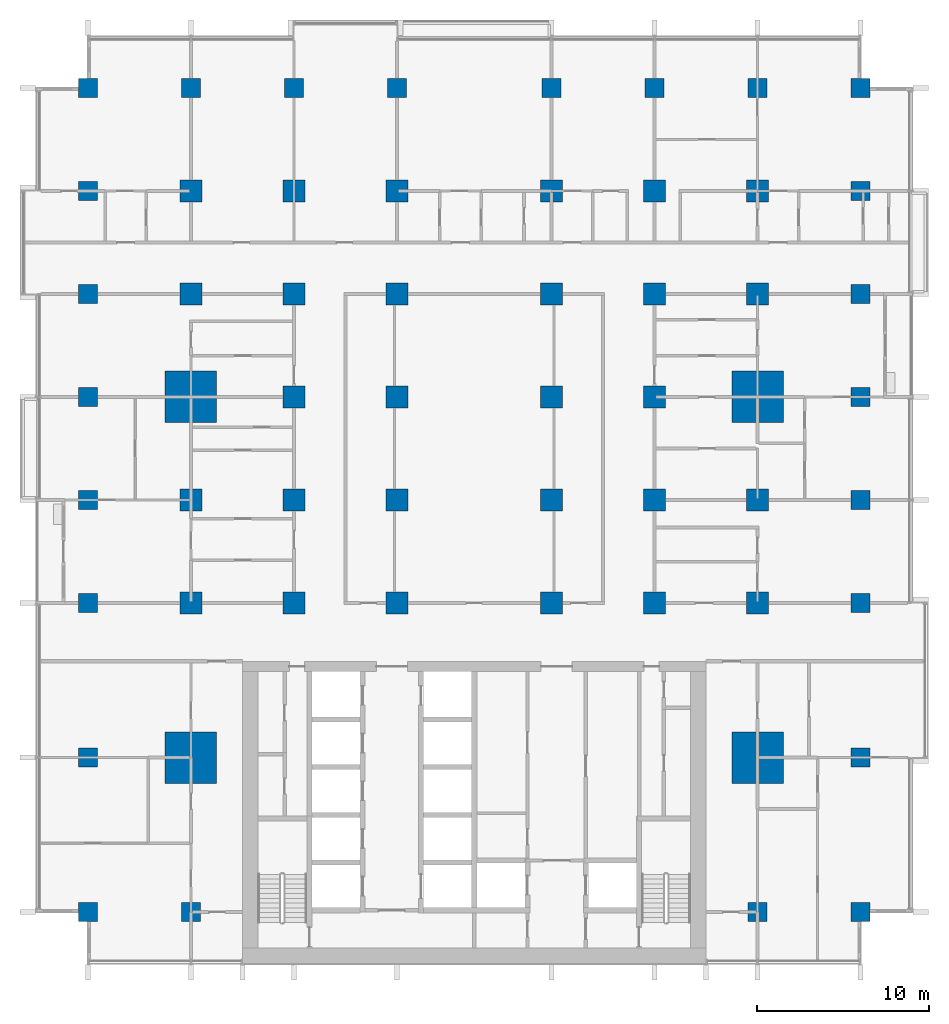
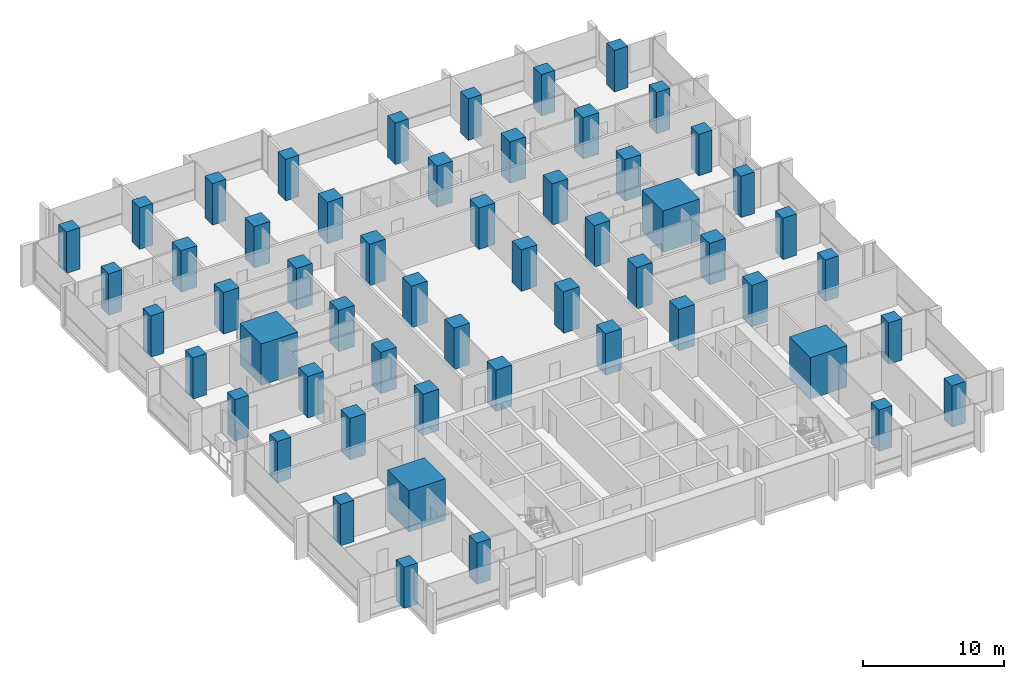
# One storey, part 1 of 18: 56 columns.
"""IFC4 building model written with IfcOpenShell, lengths in metres."""

from ifc_helpers import new_model, si_unit, direction, frame, origin, origin_2d, place, context, subcontext, project, spatial, rectangle, extrude, material, material_profile, profile_set, type_object, element, save


model = new_model("IFC4")

# Units and contexts
model_context = context("Model", 3, precision=1e-05, world=origin(), true_north=direction((0.0, 1.0)))
body_context = subcontext(model_context, "Body", "Model", "MODEL_VIEW")
ifc_project = project(units=[si_unit("LENGTHUNIT", "METRE"), si_unit("AREAUNIT", "SQUARE_METRE"), si_unit("VOLUMEUNIT", "CUBIC_METRE"), si_unit("PLANEANGLEUNIT", "RADIAN"), si_unit("MASSUNIT", "GRAM", prefix="KILO")], contexts=[model_context])

# Site, building, storey
site_placement = place(None, origin())
site = spatial("IfcSite", under=ifc_project, at=site_placement, CompositionType="ELEMENT")
building_placement = place(site_placement, origin())
building = spatial("IfcBuilding", under=site, at=building_placement, Name="Finial Court Residences", CompositionType="ELEMENT")
storey_placement = place(building_placement, frame((0.0, 0.0, 36.10009765625)))
storey = spatial("IfcBuildingStorey", under=building, at=storey_placement, Name="L07", CompositionType="ELEMENT", Elevation=36.10009765625)

# Columns
ifc_material = material(Name="Concrete C80/95", Category="concrete")
ifc_material_profile_1 = material_profile(ifc_material, rectangle(XDim=1.300048828125, YDim=1.300048828125, at=origin_2d()), Name="1300x1300")
ifc_profile_set_1 = profile_set([ifc_material_profile_1], Name="Concrete C80/95")
column_type_1 = type_object("IfcColumnType", Name="Interior column 1300x1300 Concrete C80/95", PredefinedType="COLUMN", material=ifc_profile_set_1)
for number, where, z_axis, x_axis, name in (
    (1, (-16.5, -4.5, 0.0), (0.0, 0.0, 1.0), (1.0, 0.0, 0.0), "S:COL:L07:C4"),
    (2, (-16.5, 1.5, 0.0), (0.0, 0.0, 1.0), (1.0, 0.0, 0.0), "S:COL:L07:C5"),
    (3, (-16.5, 13.5, 0.0), (0.0, 0.0, 1.0), (1.0, 0.0, 0.0), "S:COL:L07:C7"),
    (4, (-16.5, 19.5, 0.0), (0.0, 0.0, 1.0), (1.0, 0.0, 0.0), "S:COL:L07:C8"),
    (5, (-10.5, -4.5, 0.0), (0.0, 0.0, 1.0), (1.0, 0.0, 0.0), "S:COL:L07:D4"),
    (6, (-10.5, 1.5, 0.0), (0.0, 0.0, 1.0), (1.0, 0.0, 0.0), "S:COL:L07:D5"),
    (7, (-10.5, 7.5, 0.0), (0.0, 0.0, 1.0), (1.0, 0.0, 0.0), "S:COL:L07:D6"),
    (8, (-10.5, 13.5, 0.0), (0.0, 0.0, 1.0), (1.0, 0.0, 0.0), "S:COL:L07:D7"),
    (9, (-10.5, 19.5, 0.0), (0.0, 0.0, 1.0), (1.0, 0.0, 0.0), "S:COL:L07:D8"),
    (10, (-4.5, -4.5, 0.0), (0.0, 0.0, 1.0), (1.0, 0.0, 0.0), "S:COL:L07:E4"),
    (11, (-4.5, 1.5, 0.0), (0.0, 0.0, 1.0), (1.0, 0.0, 0.0), "S:COL:L07:E5"),
    (12, (-4.5, 7.5, 0.0), (0.0, 0.0, 1.0), (1.0, 0.0, 0.0), "S:COL:L07:E6"),
    (13, (-4.5, 13.5, 0.0), (0.0, 0.0, 1.0), (1.0, 0.0, 0.0), "S:COL:L07:E7"),
    (14, (-4.5, 19.5, 0.0), (0.0, 0.0, 1.0), (1.0, 0.0, 0.0), "S:COL:L07:E8"),
    (15, (4.5, -4.5, 0.0), (0.0, 0.0, 1.0), (1.0, 0.0, 0.0), "S:COL:L07:F4"),
    (16, (4.5, 1.5, 0.0), (0.0, 0.0, 1.0), (1.0, 0.0, 0.0), "S:COL:L07:F5"),
    (17, (4.5, 7.5, 0.0), (0.0, 0.0, 1.0), (1.0, 0.0, 0.0), "S:COL:L07:F6"),
    (18, (4.5, 13.5, 0.0), (0.0, 0.0, 1.0), (1.0, 0.0, 0.0), "S:COL:L07:F7"),
    (19, (4.5, 19.5, 0.0), (0.0, 0.0, 1.0), (1.0, 0.0, 0.0), "S:COL:L07:F8"),
    (20, (10.5, -4.5, 0.0), (0.0, 0.0, 1.0), (1.0, 0.0, 0.0), "S:COL:L07:G4"),
    (21, (10.5, 1.5, 0.0), (0.0, 0.0, 1.0), (1.0, 0.0, 0.0), "S:COL:L07:G5"),
    (22, (10.5, 7.5, 0.0), (0.0, 0.0, 1.0), (1.0, 0.0, 0.0), "S:COL:L07:G6"),
    (23, (10.5, 13.5, 0.0), (0.0, 0.0, 1.0), (1.0, 0.0, 0.0), "S:COL:L07:G7"),
    (24, (10.5, 19.5, 0.0), (0.0, 0.0, 1.0), (1.0, 0.0, 0.0), "S:COL:L07:G8"),
    (25, (16.5, -4.5, 0.0), (0.0, 0.0, 1.0), (1.0, 0.0, 0.0), "S:COL:L07:H4"),
    (26, (16.5, 1.5, 0.0), (0.0, 0.0, 1.0), (1.0, 0.0, 0.0), "S:COL:L07:H5"),
    (27, (16.5, 13.5, 0.0), (0.0, 0.0, 1.0), (1.0, 0.0, 0.0), "S:COL:L07:H7"),
    (28, (16.5, 19.5, 0.0), (0.0, 0.0, 1.0), (1.0, 0.0, 0.0), "S:COL:L07:H8"),
):
    element("IfcColumn", number, at=place(storey_placement, frame(where, z_axis=z_axis, x_axis=x_axis)), inside=storey, type_object=column_type_1, Name=name, PredefinedType="COLUMN", context=body_context, shape_type="SweptSolid", body=[
        extrude(rectangle(XDim=1.300048828125, YDim=1.300048828125, at=origin_2d()), origin(), (0.0, 0.0, 1.0), 3.599853515625),
    ])
ifc_material_profile_2 = material_profile(ifc_material, rectangle(XDim=3.0, YDim=3.0, at=origin_2d()), Name="3000x3000")
ifc_profile_set_2 = profile_set([ifc_material_profile_2], Name="Concrete C80/95")
column_type_2 = type_object("IfcColumnType", Name="Mega column 3000x3000 Concrete C80/95", PredefinedType="COLUMN", material=ifc_profile_set_2)
for number, where, z_axis, x_axis, name in (
    (29, (-16.5, -13.5, 0.0), (0.0, 0.0, 1.0), (1.0, 0.0, 0.0), "S:COL:L07:C3"),
    (30, (-16.5, 7.5, 0.0), (0.0, 0.0, 1.0), (1.0, 0.0, 0.0), "S:COL:L07:C6"),
    (31, (16.5, -13.5, 0.0), (0.0, 0.0, 1.0), (1.0, 0.0, 0.0), "S:COL:L07:H3"),
    (32, (16.5, 7.5, 0.0), (0.0, 0.0, 1.0), (1.0, 0.0, 0.0), "S:COL:L07:H6"),
):
    element("IfcColumn", number, at=place(storey_placement, frame(where, z_axis=z_axis, x_axis=x_axis)), inside=storey, type_object=column_type_2, Name=name, PredefinedType="COLUMN", context=body_context, shape_type="SweptSolid", body=[
        extrude(rectangle(XDim=3.0, YDim=3.0, at=origin_2d()), origin(), (0.0, 0.0, 1.0), 3.599853515625),
    ])
ifc_material_profile_3 = material_profile(ifc_material, rectangle(XDim=1.10009765625, YDim=1.10009765625, at=origin_2d()), Name="1100x1100")
ifc_profile_set_3 = profile_set([ifc_material_profile_3], Name="Concrete C80/95")
column_type_3 = type_object("IfcColumnType", Name="Perimeter column 1100x1100 Concrete C80/95", PredefinedType="COLUMN", material=ifc_profile_set_3)
for number, where, z_axis, x_axis, name in (
    (33, (-22.5, -22.5, 0.0), (0.0, 0.0, 1.0), (1.0, 0.0, 0.0), "S:COL:L07:B2"),
    (34, (-22.5, -13.5, 0.0), (0.0, 0.0, 1.0), (1.0, 0.0, 0.0), "S:COL:L07:B3"),
    (35, (-22.5, -4.5, 0.0), (0.0, 0.0, 1.0), (1.0, 0.0, 0.0), "S:COL:L07:B4"),
    (36, (-22.5, 1.5, 0.0), (0.0, 0.0, 1.0), (1.0, 0.0, 0.0), "S:COL:L07:B5"),
    (37, (-22.5, 7.5, 0.0), (0.0, 0.0, 1.0), (1.0, 0.0, 0.0), "S:COL:L07:B6"),
    (38, (-22.5, 13.5, 0.0), (0.0, 0.0, 1.0), (1.0, 0.0, 0.0), "S:COL:L07:B7"),
    (39, (-22.5, 19.5, 0.0), (0.0, 0.0, 1.0), (1.0, 0.0, 0.0), "S:COL:L07:B8"),
    (40, (-22.5, 25.5, 0.0), (0.0, 0.0, 1.0), (1.0, 0.0, 0.0), "S:COL:L07:B9"),
    (41, (-16.5, -22.5, 0.0), (0.0, 0.0, 1.0), (1.0, 0.0, 0.0), "S:COL:L07:C2"),
    (42, (-16.5, 25.5, 0.0), (0.0, 0.0, 1.0), (1.0, 0.0, 0.0), "S:COL:L07:C9"),
    (43, (-10.5, 25.5, 0.0), (0.0, 0.0, 1.0), (1.0, 0.0, 0.0), "S:COL:L07:D9"),
    (44, (-4.5, 25.5, 0.0), (0.0, 0.0, 1.0), (1.0, 0.0, 0.0), "S:COL:L07:E9"),
    (45, (4.5, 25.5, 0.0), (0.0, 0.0, 1.0), (1.0, 0.0, 0.0), "S:COL:L07:F9"),
    (46, (10.5, 25.5, 0.0), (0.0, 0.0, 1.0), (1.0, 0.0, 0.0), "S:COL:L07:G9"),
    (47, (16.5, -22.5, 0.0), (0.0, 0.0, 1.0), (1.0, 0.0, 0.0), "S:COL:L07:H2"),
    (48, (16.5, 25.5, 0.0), (0.0, 0.0, 1.0), (1.0, 0.0, 0.0), "S:COL:L07:H9"),
    (49, (22.5, -22.5, 0.0), (0.0, 0.0, 1.0), (1.0, 0.0, 0.0), "S:COL:L07:I2"),
    (50, (22.5, -13.5, 0.0), (0.0, 0.0, 1.0), (1.0, 0.0, 0.0), "S:COL:L07:I3"),
    (51, (22.5, -4.5, 0.0), (0.0, 0.0, 1.0), (1.0, 0.0, 0.0), "S:COL:L07:I4"),
    (52, (22.5, 1.5, 0.0), (0.0, 0.0, 1.0), (1.0, 0.0, 0.0), "S:COL:L07:I5"),
    (53, (22.5, 7.5, 0.0), (0.0, 0.0, 1.0), (1.0, 0.0, 0.0), "S:COL:L07:I6"),
    (54, (22.5, 13.5, 0.0), (0.0, 0.0, 1.0), (1.0, 0.0, 0.0), "S:COL:L07:I7"),
    (55, (22.5, 19.5, 0.0), (0.0, 0.0, 1.0), (1.0, 0.0, 0.0), "S:COL:L07:I8"),
    (56, (22.5, 25.5, 0.0), (0.0, 0.0, 1.0), (1.0, 0.0, 0.0), "S:COL:L07:I9"),
):
    element("IfcColumn", number, at=place(storey_placement, frame(where, z_axis=z_axis, x_axis=x_axis)), inside=storey, type_object=column_type_3, Name=name, PredefinedType="COLUMN", context=body_context, shape_type="SweptSolid", body=[
        extrude(rectangle(XDim=1.10009765625, YDim=1.10009765625, at=origin_2d()), origin(), (0.0, 0.0, 1.0), 3.599853515625),
    ])

save(model, "model.ifc")
